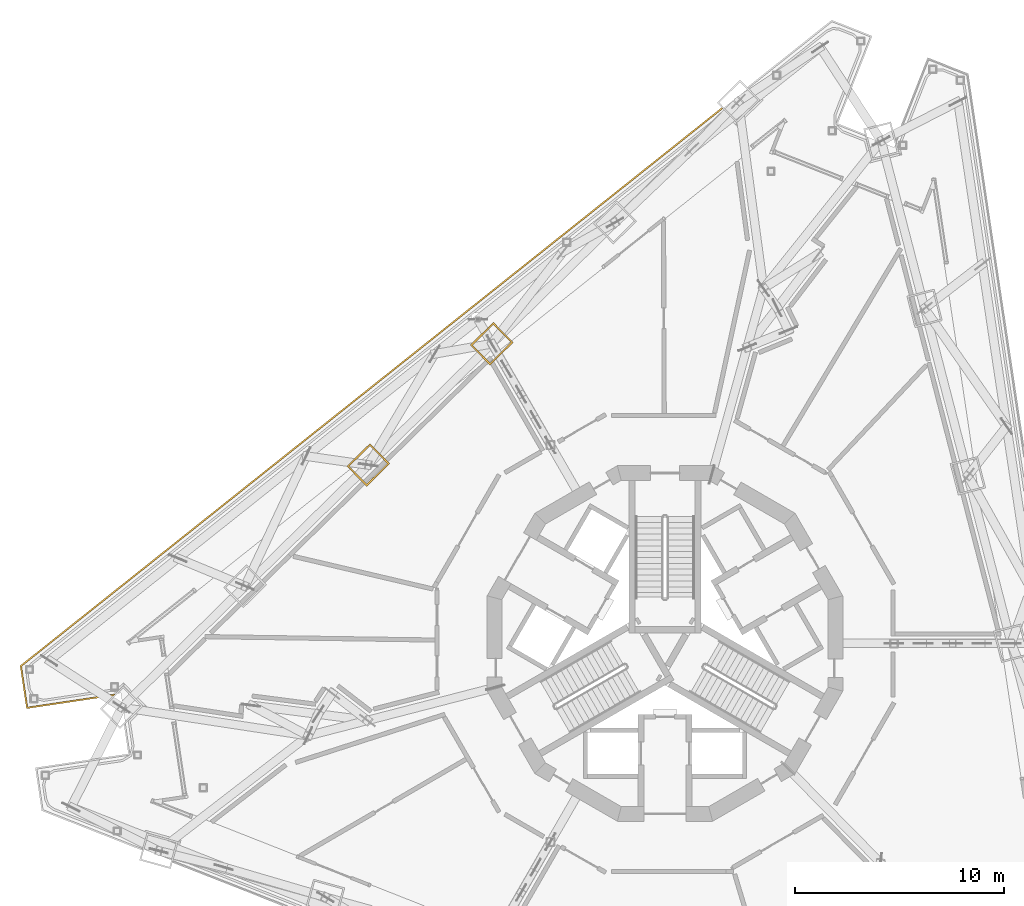
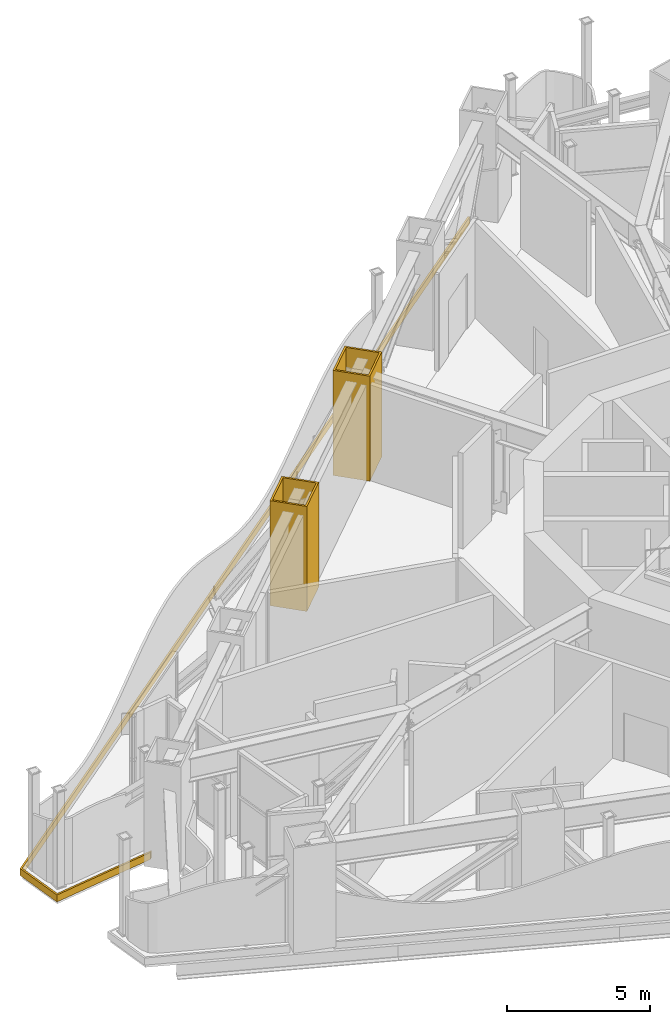
# One storey, part 25 of 27: 3 coverings.
"""IFC4 building model written with IfcOpenShell, lengths in metres."""

from ifc_helpers import new_model, si_unit, direction, frame, origin, place, context, subcontext, project, spatial, polyline, outline, extrude, material, layer, layer_set, type_object, element, save


model = new_model("IFC4")

# Units and contexts
model_context = context("Model", 3, precision=1e-05, world=origin(), true_north=direction((0.0, 1.0)))
body_context = subcontext(model_context, "Body", "Model", "MODEL_VIEW")
ifc_project = project(units=[si_unit("LENGTHUNIT", "METRE"), si_unit("AREAUNIT", "SQUARE_METRE"), si_unit("VOLUMEUNIT", "CUBIC_METRE"), si_unit("PLANEANGLEUNIT", "RADIAN"), si_unit("MASSUNIT", "GRAM", prefix="KILO")], contexts=[model_context])

# Site, building, storey
site_placement = place(None, origin())
site = spatial("IfcSite", under=ifc_project, at=site_placement, CompositionType="ELEMENT")
building_placement = place(site_placement, origin())
building = spatial("IfcBuilding", under=site, at=building_placement, Name="Trine Commons Tower", CompositionType="ELEMENT")
storey_placement = place(building_placement, frame((0.0, 0.0, 230.39990234375)))
storey = spatial("IfcBuildingStorey", under=building, at=storey_placement, Name="L60", CompositionType="ELEMENT", Elevation=230.39990234375)

# Coverings
ifc_material = material(Name="Limestone, honed", Category="masonry")
ifc_layer_1 = layer(ifc_material, 0.074951171875)
ifc_layer_set_1 = layer_set([ifc_layer_1], Name="Limestone, honed")
covering_type_1 = type_object("IfcCoveringType", Name="Limestone column cladding 75", PredefinedType="CLADDING", material=ifc_layer_set_1)
covering_1_placement = place(storey_placement, origin())
element("IfcCovering", 1, at=covering_1_placement, inside=storey, type_object=covering_type_1, Name="Limestone pier cladding 7-09", PredefinedType="CLADDING", context=body_context, shape_type="SweptSolid", body=[
    extrude(outline(polyline([(66.843017578125, 71.095703125), (65.89697265625, 72.05859375), (64.791259765625, 70.97216796875), (65.737548828125, 70.00927734375), (66.843017578125, 71.095703125)]), holes=[polyline([(66.737060546875, 71.0966796875), (65.89599609375, 71.952392578125), (64.8974609375, 70.97119140625), (65.738525390625, 70.115234375), (66.737060546875, 71.0966796875)])]), origin(), (0.0, 0.0, 1.0), 4.5),
])
covering_2_placement = place(storey_placement, origin())
element("IfcCovering", 2, at=covering_2_placement, inside=storey, type_object=covering_type_1, Name="Limestone pier cladding 7-10", PredefinedType="CLADDING", context=body_context, shape_type="SweptSolid", body=[
    extrude(outline(polyline([(72.74072265625, 76.891357421875), (71.794677734375, 77.854248046875), (70.68896484375, 76.767822265625), (71.63525390625, 75.804931640625), (72.74072265625, 76.891357421875)]), holes=[polyline([(72.634765625, 76.892333984375), (71.793701171875, 77.748291015625), (70.795166015625, 76.766845703125), (71.63623046875, 75.910888671875), (72.634765625, 76.892333984375)])]), origin(), (0.0, 0.0, 1.0), 4.5),
])
ifc_layer_2 = layer(ifc_material, 0.074951171875)
ifc_layer_set_2 = layer_set([ifc_layer_2], Name="Limestone, honed")
covering_type_2 = type_object("IfcCoveringType", Name="Limestone spandrel panel 75", PredefinedType="CLADDING", material=ifc_layer_set_2)
covering_3_placement = place(storey_placement, frame((0.0, 0.0, -0.2998046875)))
element("IfcCovering", 3, at=covering_3_placement, inside=storey, type_object=covering_type_2, Name="Limestone spandrel panel 6-06", PredefinedType="CLADDING", context=body_context, shape_type="SweptSolid", body=[
    extrude(outline(polyline([(49.47021484375, 59.378173828125), (53.625, 59.9990234375), (53.716064453125, 60.08837890625), (49.533203125, 59.46337890625), (49.242919921875, 61.406005859375), (82.7666015625, 88.07177734375), (82.713623046875, 88.12548828125), (49.162353515625, 61.4375), (49.47021484375, 59.378173828125)])), origin(), (0.0, 0.0, 1.0), 0.2998046875),
])

save(model, "model.ifc")
